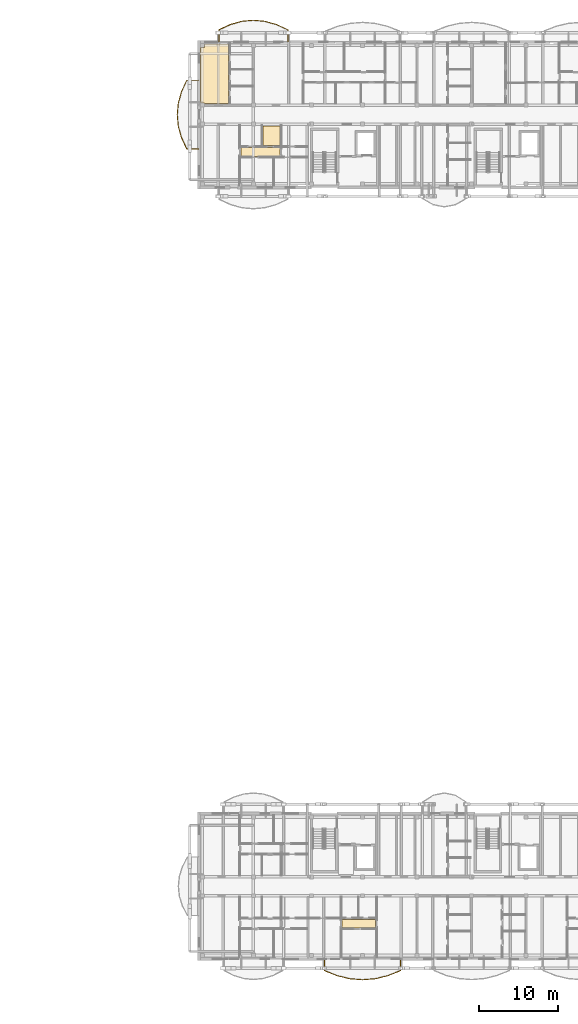
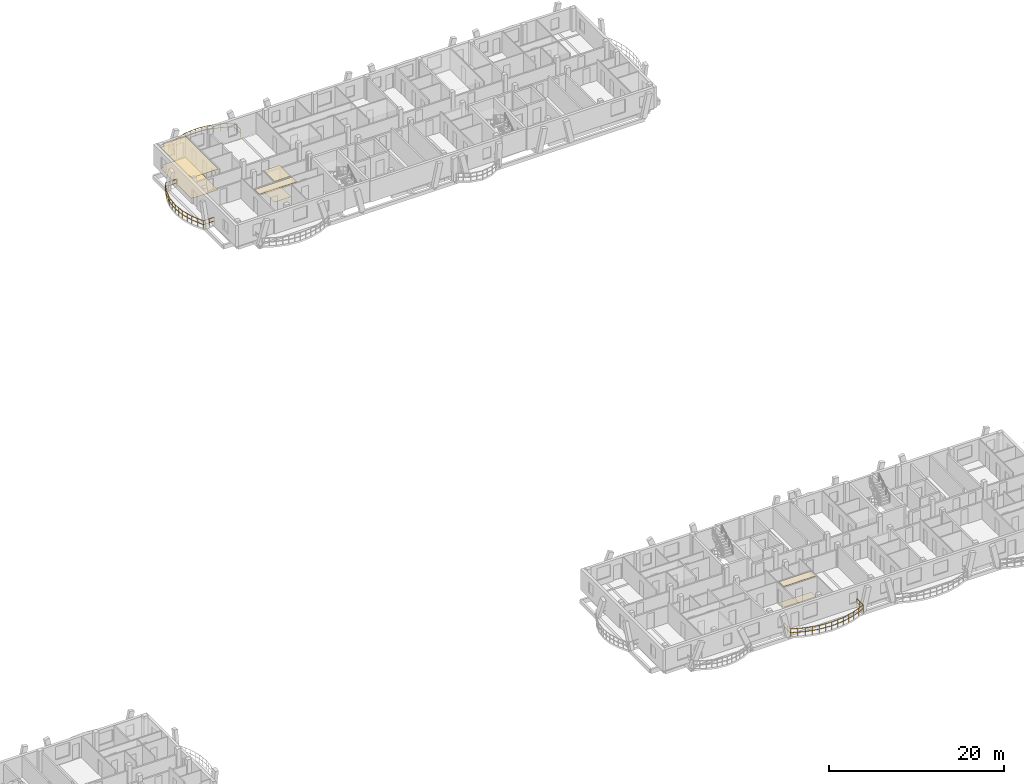
# One storey, part 46 of 50: 7 coverings, 3 railings.
"""IFC4 building model written with IfcOpenShell, lengths in metres."""

from ifc_helpers import new_model, si_unit, direction, frame, origin, origin_2d, place, context, subcontext, project, spatial, polyline, rectangle, outline, extrude, material, layer, layer_set, type_object, element, save


model = new_model("IFC4")

# Units and contexts
model_context = context("Model", 3, precision=1e-05, world=origin(), true_north=direction((0.0, 1.0)))
body_context = subcontext(model_context, "Body", "Model", "MODEL_VIEW")
ifc_project = project(units=[si_unit("LENGTHUNIT", "METRE"), si_unit("AREAUNIT", "SQUARE_METRE"), si_unit("VOLUMEUNIT", "CUBIC_METRE"), si_unit("PLANEANGLEUNIT", "RADIAN"), si_unit("MASSUNIT", "GRAM", prefix="KILO")], contexts=[model_context])

# Site, building, storey
site_placement = place(None, origin())
site = spatial("IfcSite", under=ifc_project, at=site_placement, CompositionType="ELEMENT")
building_placement = place(site_placement, origin())
building = spatial("IfcBuilding", under=site, at=building_placement, Name="Zavelmont Quarter", CompositionType="ELEMENT")
storey_placement = place(building_placement, frame((0.0, 0.0, 11.199951171875)))
storey = spatial("IfcBuildingStorey", under=building, at=storey_placement, Name="L03", CompositionType="ELEMENT", Elevation=11.199951171875)

# Coverings
ifc_material_1 = material(Name="Perforated acoustic gypsum board")
ifc_layer_1 = layer(ifc_material_1, 0.02490234375)
ifc_layer_set_1 = layer_set([ifc_layer_1], Name="Perforated acoustic gypsum board")
covering_type_1 = type_object("IfcCoveringType", Name="CV-CL01", PredefinedType="CEILING", material=ifc_layer_set_1)
covering_1_placement = place(storey_placement, frame((0.0, 0.0, 2.9150390625)))
element("IfcCovering", 1, at=covering_1_placement, inside=storey, type_object=covering_type_1, Name="L03 Living Dining acoustic ceiling", PredefinedType="CEILING", context=body_context, shape_type="SweptSolid", body=[
    extrude(outline(polyline([(113.030029296875, 115.27001953125), (113.530029296875, 115.27001953125), (113.530029296875, 115.719970703125), (116.570068359375, 115.719970703125), (116.570068359375, 108.22998046875), (113.530029296875, 108.22998046875), (113.530029296875, 108.2900390625), (113.030029296875, 108.2900390625), (113.030029296875, 115.27001953125)])), origin(), (0.0, 0.0, 1.0), 0.02490234375),
])
ifc_material_2 = material(Name="Slatted European ash acoustic baffle ceiling")
ifc_layer_2 = layer(ifc_material_2, 0.0400390625)
ifc_layer_set_2 = layer_set([ifc_layer_2], Name="Slatted European ash acoustic baffle ceiling")
covering_type_2 = type_object("IfcCoveringType", Name="CV-CL02", PredefinedType="CEILING", material=ifc_layer_set_2)
covering_2_placement = place(storey_placement, frame((0.0, 0.0, 2.900146484375)))
element("IfcCovering", 2, at=covering_2_placement, inside=storey, type_object=covering_type_2, Name="L03 Apartment Hall acoustic ceiling", PredefinedType="CEILING", context=body_context, shape_type="SweptSolid", body=[
    extrude(outline(polyline([(118.1298828125, 102.6201171875), (123.070068359375, 102.6201171875), (123.070068359375, 101.530029296875), (118.1298828125, 101.530029296875), (118.1298828125, 102.6201171875)])), origin(), (0.0, 0.0, 1.0), 0.039794921875),
])
covering_3_placement = place(storey_placement, frame((0.0, 0.0, 2.900146484375)))
element("IfcCovering", 3, at=covering_3_placement, inside=storey, type_object=covering_type_2, Name="L03 Apartment Hall acoustic ceiling", PredefinedType="CEILING", context=body_context, shape_type="SweptSolid", body=[
    extrude(outline(polyline([(130.929931640625, 5.02001953125), (135.169921875, 5.02001953125), (135.169921875, 3.929931640625), (130.929931640625, 3.929931640625), (130.929931640625, 5.02001953125)])), origin(), (0.0, 0.0, 1.0), 0.039794921875),
])
ifc_material_3 = material(Name="Moisture-resistant painted gypsum ceiling")
ifc_layer_3 = layer(ifc_material_3, 0.02001953125)
ifc_layer_set_3 = layer_set([ifc_layer_3], Name="Moisture-resistant painted gypsum ceiling")
covering_type_3 = type_object("IfcCoveringType", Name="CV-CL04", PredefinedType="CEILING", material=ifc_layer_set_3)
covering_4_placement = place(storey_placement, frame((0.0, 0.0, 2.920166015625)))
element("IfcCovering", 4, at=covering_4_placement, inside=storey, type_object=covering_type_3, Name="L03 Bathroom acoustic ceiling", PredefinedType="CEILING", context=body_context, shape_type="SweptSolid", body=[
    extrude(outline(polyline([(120.929931640625, 105.3701171875), (123.070068359375, 105.3701171875), (123.070068359375, 102.8798828125), (120.929931640625, 102.8798828125), (120.929931640625, 105.3701171875)])), origin(), (0.0, 0.0, 1.0), 0.019775390625),
])
ifc_material_4 = material(Name="Engineered European oak parquet")
ifc_layer_4 = layer(ifc_material_4, 0.02197265625)
ifc_layer_set_4 = layer_set([ifc_layer_4], Name="Engineered European oak parquet")
covering_type_4 = type_object("IfcCoveringType", Name="CV-FL01", PredefinedType="FLOORING", material=ifc_layer_set_4)
covering_5_placement = place(storey_placement, origin())
element("IfcCovering", 5, at=covering_5_placement, inside=storey, type_object=covering_type_4, Name="L03 Living Dining floor finish", PredefinedType="FLOORING", context=body_context, shape_type="SweptSolid", body=[
    extrude(outline(polyline([(113.030029296875, 115.27001953125), (113.530029296875, 115.27001953125), (113.530029296875, 115.719970703125), (116.570068359375, 115.719970703125), (116.570068359375, 108.22998046875), (113.530029296875, 108.22998046875), (113.530029296875, 108.2900390625), (113.030029296875, 108.2900390625), (113.030029296875, 115.27001953125)])), origin(), (0.0, 0.0, 1.0), 0.02197265625),
])
ifc_material_5 = material(Name="Honed Belgian bluestone tile", Category="masonry")
ifc_layer_5 = layer(ifc_material_5, 0.030029296875)
ifc_layer_set_5 = layer_set([ifc_layer_5], Name="Honed Belgian bluestone tile")
covering_type_5 = type_object("IfcCoveringType", Name="CV-FL02", PredefinedType="FLOORING", material=ifc_layer_set_5)
covering_6_placement = place(storey_placement, origin())
element("IfcCovering", 6, at=covering_6_placement, inside=storey, type_object=covering_type_5, Name="L03 Apartment Hall floor finish", PredefinedType="FLOORING", context=body_context, shape_type="SweptSolid", body=[
    extrude(outline(polyline([(130.929931640625, 5.02001953125), (135.169921875, 5.02001953125), (135.169921875, 3.929931640625), (130.929931640625, 3.929931640625), (130.929931640625, 5.02001953125)])), origin(), (0.0, 0.0, 1.0), 0.030029296875),
])
ifc_material_6 = material(Name="Slip-resistant porcelain tile")
ifc_layer_6 = layer(ifc_material_6, 0.02587890625)
ifc_layer_set_6 = layer_set([ifc_layer_6], Name="Slip-resistant porcelain tile")
covering_type_6 = type_object("IfcCoveringType", Name="CV-FL04", PredefinedType="FLOORING", material=ifc_layer_set_6)
covering_7_placement = place(storey_placement, origin())
element("IfcCovering", 7, at=covering_7_placement, inside=storey, type_object=covering_type_6, Name="L03 Bathroom floor finish", PredefinedType="FLOORING", context=body_context, shape_type="SweptSolid", body=[
    extrude(outline(polyline([(120.929931640625, 105.3701171875), (123.070068359375, 105.3701171875), (123.070068359375, 102.8798828125), (120.929931640625, 102.8798828125), (120.929931640625, 105.3701171875)])), origin(), (0.0, 0.0, 1.0), 0.026123046875),
])

# Railings
ifc_material_7 = material(Name="Powder-coated steel and tempered double safety glass", Category="steel")
railing_type = type_object("IfcRailingType", Name="RL-BAL1", PredefinedType="BALUSTRADE", material=ifc_material_7)
railing_1_placement = place(storey_placement, frame((124.052978515625, 116.02001953125, 0.0)))
element("IfcRailing", 8, at=railing_1_placement, inside=storey, type_object=railing_type, Name="L03 Block C curved balcony guard RL-BAL1", PredefinedType="BALUSTRADE", context=body_context, shape_type="SweptSolid", body=[
    extrude(rectangle(XDim=0.048095703125, YDim=0.048095703125, at=origin_2d()), frame((0.0, 0.0, 1.076171875), z_axis=(0.0, 1.0, 0.0), x_axis=(-1.0, 0.0, 0.0)), (0.0, 0.0, 1.0), 1.514404296875),
    extrude(rectangle(XDim=0.048095703125, YDim=0.048095703125, at=origin_2d()), frame((0.0, 0.0, 0.550048828125), z_axis=(0.0, 1.0, 0.0), x_axis=(-1.0, 0.0, 0.0)), (0.0, 0.0, 1.0), 1.514404296875),
    extrude(rectangle(XDim=0.048095703125, YDim=0.048095703125, at=origin_2d()), frame((0.0, 1.514404296875, 1.076171875), z_axis=(-0.907981737747, 0.419009742032, 0.0), x_axis=(-0.419009742032, -0.907981737747, 0.0)), (0.0, 0.0, 1.0), 1.59814453125),
    extrude(rectangle(XDim=0.048095703125, YDim=0.048095703125, at=origin_2d()), frame((0.0, 1.514404296875, 0.550048828125), z_axis=(-0.907981737747, 0.419009742032, 0.0), x_axis=(-0.419009742032, -0.907981737747, 0.0)), (0.0, 0.0, 1.0), 1.59814453125),
    extrude(rectangle(XDim=0.048095703125, YDim=0.048095703125, at=origin_2d()), frame((-1.451171875, 2.18408203125, 1.076171875), z_axis=(-0.963719754684, 0.266916156185, 0.0), x_axis=(-0.266916156185, -0.963719754684, 0.0)), (0.0, 0.0, 1.0), 1.505615234375),
    extrude(rectangle(XDim=0.048095703125, YDim=0.048095703125, at=origin_2d()), frame((-1.451171875, 2.18408203125, 0.550048828125), z_axis=(-0.963719754684, 0.266916156185, 0.0), x_axis=(-0.266916156185, -0.963719754684, 0.0)), (0.0, 0.0, 1.0), 1.505615234375),
    extrude(rectangle(XDim=0.048095703125, YDim=0.048095703125, at=origin_2d()), frame((-2.902099609375, 2.5859375, 1.076171875), z_axis=(-0.995760306434, 0.091985934416, 0.0), x_axis=(-0.091985934416, -0.995760306434, 0.0)), (0.0, 0.0, 1.0), 1.45703125),
    extrude(rectangle(XDim=0.048095703125, YDim=0.048095703125, at=origin_2d()), frame((-2.902099609375, 2.5859375, 0.550048828125), z_axis=(-0.995760306434, 0.091985934416, 0.0), x_axis=(-0.091985934416, -0.995760306434, 0.0)), (0.0, 0.0, 1.0), 1.45703125),
    extrude(rectangle(XDim=0.048095703125, YDim=0.048095703125, at=origin_2d()), frame((-4.35302734375, 2.719970703125, 1.076171875), z_axis=(-0.995760306434, -0.091985934416, 0.0), x_axis=(0.091985934416, -0.995760306434, 0.0)), (0.0, 0.0, 1.0), 1.45703125),
    extrude(rectangle(XDim=0.048095703125, YDim=0.048095703125, at=origin_2d()), frame((-4.35302734375, 2.719970703125, 0.550048828125), z_axis=(-0.995760306434, -0.091985934416, 0.0), x_axis=(0.091985934416, -0.995760306434, 0.0)), (0.0, 0.0, 1.0), 1.45703125),
    extrude(rectangle(XDim=0.048095703125, YDim=0.048095703125, at=origin_2d()), frame((-5.803955078125, 2.5859375, 1.076171875), z_axis=(-0.963719754684, -0.266916156185, 0.0), x_axis=(0.266916156185, -0.963719754684, 0.0)), (0.0, 0.0, 1.0), 1.505615234375),
    extrude(rectangle(XDim=0.048095703125, YDim=0.048095703125, at=origin_2d()), frame((-5.803955078125, 2.5859375, 0.550048828125), z_axis=(-0.963719754684, -0.266916156185, 0.0), x_axis=(0.266916156185, -0.963719754684, 0.0)), (0.0, 0.0, 1.0), 1.505615234375),
    extrude(rectangle(XDim=0.048095703125, YDim=0.048095703125, at=origin_2d()), frame((-7.2548828125, 2.18408203125, 1.076171875), z_axis=(-0.907954912921, -0.419067865748, 0.0), x_axis=(0.419067865748, -0.907954912921, 0.0)), (0.0, 0.0, 1.0), 1.597900390625),
    extrude(rectangle(XDim=0.048095703125, YDim=0.048095703125, at=origin_2d()), frame((-7.2548828125, 2.18408203125, 0.550048828125), z_axis=(-0.907954912921, -0.419067865748, 0.0), x_axis=(0.419067865748, -0.907954912921, 0.0)), (0.0, 0.0, 1.0), 1.597900390625),
    extrude(rectangle(XDim=0.048095703125, YDim=0.048095703125, at=origin_2d()), frame((-8.705810546875, 1.514404296875, 1.076171875), z_axis=(0.0, -1.0, 0.0), x_axis=(1.0, 0.0, 0.0)), (0.0, 0.0, 1.0), 1.514404296875),
    extrude(rectangle(XDim=0.048095703125, YDim=0.048095703125, at=origin_2d()), frame((-8.705810546875, 1.514404296875, 0.550048828125), z_axis=(0.0, -1.0, 0.0), x_axis=(1.0, 0.0, 0.0)), (0.0, 0.0, 1.0), 1.514404296875),
    extrude(rectangle(XDim=0.0419921875, YDim=0.0419921875, at=origin_2d()), origin(), (0.0, 0.0, 1.0), 1.052001953125),
    extrude(rectangle(XDim=0.0419921875, YDim=0.0419921875, at=origin_2d()), frame((0.0, 0.75732421875, 0.0)), (0.0, 0.0, 1.0), 1.052001953125),
    extrude(rectangle(XDim=0.0419921875, YDim=0.0419921875, at=origin_2d()), frame((0.0, 1.514404296875, 0.0)), (0.0, 0.0, 1.0), 1.052001953125),
    extrude(rectangle(XDim=0.0419921875, YDim=0.0419921875, at=origin_2d()), frame((-0.7255859375, 1.84912109375, 0.0)), (0.0, 0.0, 1.0), 1.052001953125),
    extrude(rectangle(XDim=0.0419921875, YDim=0.0419921875, at=origin_2d()), frame((-1.451171875, 2.18408203125, 0.0)), (0.0, 0.0, 1.0), 1.052001953125),
    extrude(rectangle(XDim=0.0419921875, YDim=0.0419921875, at=origin_2d()), frame((-2.1767578125, 2.385009765625, 0.0)), (0.0, 0.0, 1.0), 1.052001953125),
    extrude(rectangle(XDim=0.0419921875, YDim=0.0419921875, at=origin_2d()), frame((-2.902099609375, 2.5859375, 0.0)), (0.0, 0.0, 1.0), 1.052001953125),
    extrude(rectangle(XDim=0.0419921875, YDim=0.0419921875, at=origin_2d()), frame((-3.62744140625, 2.65283203125, 0.0)), (0.0, 0.0, 1.0), 1.052001953125),
    extrude(rectangle(XDim=0.0419921875, YDim=0.0419921875, at=origin_2d()), frame((-4.35302734375, 2.719970703125, 0.0)), (0.0, 0.0, 1.0), 1.052001953125),
    extrude(rectangle(XDim=0.0419921875, YDim=0.0419921875, at=origin_2d()), frame((-5.07861328125, 2.65283203125, 0.0)), (0.0, 0.0, 1.0), 1.052001953125),
    extrude(rectangle(XDim=0.0419921875, YDim=0.0419921875, at=origin_2d()), frame((-5.803955078125, 2.5859375, 0.0)), (0.0, 0.0, 1.0), 1.052001953125),
    extrude(rectangle(XDim=0.0419921875, YDim=0.0419921875, at=origin_2d()), frame((-6.529296875, 2.385009765625, 0.0)), (0.0, 0.0, 1.0), 1.052001953125),
    extrude(rectangle(XDim=0.0419921875, YDim=0.0419921875, at=origin_2d()), frame((-7.2548828125, 2.18408203125, 0.0)), (0.0, 0.0, 1.0), 1.052001953125),
    extrude(rectangle(XDim=0.0419921875, YDim=0.0419921875, at=origin_2d()), frame((-7.98046875, 1.84912109375, 0.0)), (0.0, 0.0, 1.0), 1.052001953125),
    extrude(rectangle(XDim=0.0419921875, YDim=0.0419921875, at=origin_2d()), frame((-8.705810546875, 1.514404296875, 0.0)), (0.0, 0.0, 1.0), 1.052001953125),
    extrude(rectangle(XDim=0.0419921875, YDim=0.0419921875, at=origin_2d()), frame((-8.705810546875, 0.75732421875, 0.0)), (0.0, 0.0, 1.0), 1.052001953125),
    extrude(rectangle(XDim=0.0419921875, YDim=0.0419921875, at=origin_2d()), frame((-8.705810546875, 0.0, 0.0)), (0.0, 0.0, 1.0), 1.052001953125),
])
railing_2_placement = place(storey_placement, frame((112.780029296875, 111.15283203125, 0.0)))
element("IfcRailing", 9, at=railing_2_placement, inside=storey, type_object=railing_type, Name="L03 Block C curved balcony guard RL-BAL1", PredefinedType="BALUSTRADE", context=body_context, shape_type="SweptSolid", body=[
    extrude(rectangle(XDim=0.048095703125, YDim=0.048095703125, at=origin_2d()), frame((0.0, 0.0, 1.076171875), z_axis=(-1.0, 0.0, 0.0), x_axis=(0.0, -1.0, 0.0)), (0.0, 0.0, 1.0), 1.514404296875),
    extrude(rectangle(XDim=0.048095703125, YDim=0.048095703125, at=origin_2d()), frame((0.0, 0.0, 0.550048828125), z_axis=(-1.0, 0.0, 0.0), x_axis=(0.0, -1.0, 0.0)), (0.0, 0.0, 1.0), 1.514404296875),
    extrude(rectangle(XDim=0.048095703125, YDim=0.048095703125, at=origin_2d()), frame((-1.514404296875, 0.0, 1.076171875), z_axis=(-0.419193800447, -0.907896776989, 0.0), x_axis=(0.907896776989, -0.419193800447, 0.0)), (0.0, 0.0, 1.0), 1.59814453125),
    extrude(rectangle(XDim=0.048095703125, YDim=0.048095703125, at=origin_2d()), frame((-1.514404296875, 0.0, 0.550048828125), z_axis=(-0.419193800447, -0.907896776989, 0.0), x_axis=(0.907896776989, -0.419193800447, 0.0)), (0.0, 0.0, 1.0), 1.59814453125),
    extrude(rectangle(XDim=0.048095703125, YDim=0.048095703125, at=origin_2d()), frame((-2.184326171875, -1.450927734375, 1.076171875), z_axis=(-0.266765538924, -0.963761457645, 0.0), x_axis=(0.963761457645, -0.266765538924, 0.0)), (0.0, 0.0, 1.0), 1.50537109375),
    extrude(rectangle(XDim=0.048095703125, YDim=0.048095703125, at=origin_2d()), frame((-2.184326171875, -1.450927734375, 0.550048828125), z_axis=(-0.266765538924, -0.963761457645, 0.0), x_axis=(0.963761457645, -0.266765538924, 0.0)), (0.0, 0.0, 1.0), 1.50537109375),
    extrude(rectangle(XDim=0.048095703125, YDim=0.048095703125, at=origin_2d()), frame((-2.5859375, -2.90185546875, 1.076171875), z_axis=(-0.091985934416, -0.995760306434, 0.0), x_axis=(0.995760306434, -0.091985934416, 0.0)), (0.0, 0.0, 1.0), 1.45703125),
    extrude(rectangle(XDim=0.048095703125, YDim=0.048095703125, at=origin_2d()), frame((-2.5859375, -2.90185546875, 0.550048828125), z_axis=(-0.091985934416, -0.995760306434, 0.0), x_axis=(0.995760306434, -0.091985934416, 0.0)), (0.0, 0.0, 1.0), 1.45703125),
    extrude(rectangle(XDim=0.048095703125, YDim=0.048095703125, at=origin_2d()), frame((-2.719970703125, -4.352783203125, 1.076171875), z_axis=(0.091985934416, -0.995760306434, 0.0), x_axis=(0.995760306434, 0.091985934416, 0.0)), (0.0, 0.0, 1.0), 1.45703125),
    extrude(rectangle(XDim=0.048095703125, YDim=0.048095703125, at=origin_2d()), frame((-2.719970703125, -4.352783203125, 0.550048828125), z_axis=(0.091985934416, -0.995760306434, 0.0), x_axis=(0.995760306434, 0.091985934416, 0.0)), (0.0, 0.0, 1.0), 1.45703125),
    extrude(rectangle(XDim=0.048095703125, YDim=0.048095703125, at=origin_2d()), frame((-2.5859375, -5.8037109375, 1.076171875), z_axis=(0.266765538924, -0.963761457645, 0.0), x_axis=(0.963761457645, 0.266765538924, 0.0)), (0.0, 0.0, 1.0), 1.50537109375),
    extrude(rectangle(XDim=0.048095703125, YDim=0.048095703125, at=origin_2d()), frame((-2.5859375, -5.8037109375, 0.550048828125), z_axis=(0.266765538924, -0.963761457645, 0.0), x_axis=(0.963761457645, 0.266765538924, 0.0)), (0.0, 0.0, 1.0), 1.50537109375),
    extrude(rectangle(XDim=0.048095703125, YDim=0.048095703125, at=origin_2d()), frame((-2.184326171875, -7.254638671875, 1.076171875), z_axis=(0.419135666708, -0.907923616222, 0.0), x_axis=(0.907923616222, 0.419135666708, 0.0)), (0.0, 0.0, 1.0), 1.598388671875),
    extrude(rectangle(XDim=0.048095703125, YDim=0.048095703125, at=origin_2d()), frame((-2.184326171875, -7.254638671875, 0.550048828125), z_axis=(0.419135666708, -0.907923616222, 0.0), x_axis=(0.907923616222, 0.419135666708, 0.0)), (0.0, 0.0, 1.0), 1.598388671875),
    extrude(rectangle(XDim=0.048095703125, YDim=0.048095703125, at=origin_2d()), frame((-1.514404296875, -8.705810546875, 1.076171875), z_axis=(1.0, 0.0, 0.0), x_axis=(0.0, 1.0, 0.0)), (0.0, 0.0, 1.0), 1.514404296875),
    extrude(rectangle(XDim=0.048095703125, YDim=0.048095703125, at=origin_2d()), frame((-1.514404296875, -8.705810546875, 0.550048828125), z_axis=(1.0, 0.0, 0.0), x_axis=(0.0, 1.0, 0.0)), (0.0, 0.0, 1.0), 1.514404296875),
    extrude(rectangle(XDim=0.0419921875, YDim=0.0419921875, at=origin_2d()), origin(), (0.0, 0.0, 1.0), 1.052001953125),
    extrude(rectangle(XDim=0.0419921875, YDim=0.0419921875, at=origin_2d()), frame((-0.75732421875, 0.0, 0.0)), (0.0, 0.0, 1.0), 1.052001953125),
    extrude(rectangle(XDim=0.0419921875, YDim=0.0419921875, at=origin_2d()), frame((-1.514404296875, 0.0, 0.0)), (0.0, 0.0, 1.0), 1.052001953125),
    extrude(rectangle(XDim=0.0419921875, YDim=0.0419921875, at=origin_2d()), frame((-1.849365234375, -0.7255859375, 0.0)), (0.0, 0.0, 1.0), 1.052001953125),
    extrude(rectangle(XDim=0.0419921875, YDim=0.0419921875, at=origin_2d()), frame((-2.184326171875, -1.450927734375, 0.0)), (0.0, 0.0, 1.0), 1.052001953125),
    extrude(rectangle(XDim=0.0419921875, YDim=0.0419921875, at=origin_2d()), frame((-2.38525390625, -2.17626953125, 0.0)), (0.0, 0.0, 1.0), 1.052001953125),
    extrude(rectangle(XDim=0.0419921875, YDim=0.0419921875, at=origin_2d()), frame((-2.5859375, -2.90185546875, 0.0)), (0.0, 0.0, 1.0), 1.052001953125),
    extrude(rectangle(XDim=0.0419921875, YDim=0.0419921875, at=origin_2d()), frame((-2.65283203125, -3.62744140625, 0.0)), (0.0, 0.0, 1.0), 1.052001953125),
    extrude(rectangle(XDim=0.0419921875, YDim=0.0419921875, at=origin_2d()), frame((-2.719970703125, -4.352783203125, 0.0)), (0.0, 0.0, 1.0), 1.052001953125),
    extrude(rectangle(XDim=0.0419921875, YDim=0.0419921875, at=origin_2d()), frame((-2.65283203125, -5.078125, 0.0)), (0.0, 0.0, 1.0), 1.052001953125),
    extrude(rectangle(XDim=0.0419921875, YDim=0.0419921875, at=origin_2d()), frame((-2.5859375, -5.8037109375, 0.0)), (0.0, 0.0, 1.0), 1.052001953125),
    extrude(rectangle(XDim=0.0419921875, YDim=0.0419921875, at=origin_2d()), frame((-2.38525390625, -6.529296875, 0.0)), (0.0, 0.0, 1.0), 1.052001953125),
    extrude(rectangle(XDim=0.0419921875, YDim=0.0419921875, at=origin_2d()), frame((-2.184326171875, -7.254638671875, 0.0)), (0.0, 0.0, 1.0), 1.052001953125),
    extrude(rectangle(XDim=0.0419921875, YDim=0.0419921875, at=origin_2d()), frame((-1.849365234375, -7.980224609375, 0.0)), (0.0, 0.0, 1.0), 1.052001953125),
    extrude(rectangle(XDim=0.0419921875, YDim=0.0419921875, at=origin_2d()), frame((-1.514404296875, -8.705810546875, 0.0)), (0.0, 0.0, 1.0), 1.052001953125),
    extrude(rectangle(XDim=0.0419921875, YDim=0.0419921875, at=origin_2d()), frame((-0.75732421875, -8.705810546875, 0.0)), (0.0, 0.0, 1.0), 1.052001953125),
    extrude(rectangle(XDim=0.0419921875, YDim=0.0419921875, at=origin_2d()), frame((0.0, -8.705810546875, 0.0)), (0.0, 0.0, 1.0), 1.052001953125),
])
railing_3_placement = place(storey_placement, frame((128.707763671875, -0.02001953125, 0.0)))
element("IfcRailing", 10, at=railing_3_placement, inside=storey, type_object=railing_type, Name="L03 Block D curved balcony guard RL-BAL1", PredefinedType="BALUSTRADE", context=body_context, shape_type="SweptSolid", body=[
    extrude(rectangle(XDim=0.048095703125, YDim=0.048095703125, at=origin_2d()), frame((0.0, 0.0, 1.076171875), z_axis=(0.0, -1.0, 0.0), x_axis=(1.0, 0.0, 0.0)), (0.0, 0.0, 1.0), 1.453857421875),
    extrude(rectangle(XDim=0.048095703125, YDim=0.048095703125, at=origin_2d()), frame((0.0, 0.0, 0.550048828125), z_axis=(0.0, -1.0, 0.0), x_axis=(1.0, 0.0, 0.0)), (0.0, 0.0, 1.0), 1.453857421875),
    extrude(rectangle(XDim=0.048095703125, YDim=0.048095703125, at=origin_2d()), frame((0.0, -1.453857421875, 1.076171875), z_axis=(0.927603965163, -0.373565099833, 0.0), x_axis=(0.373565099833, 0.927603965163, 0.0)), (0.0, 0.0, 1.0), 1.72216796875),
    extrude(rectangle(XDim=0.048095703125, YDim=0.048095703125, at=origin_2d()), frame((0.0, -1.453857421875, 0.550048828125), z_axis=(0.927603965163, -0.373565099833, 0.0), x_axis=(0.373565099833, 0.927603965163, 0.0)), (0.0, 0.0, 1.0), 1.72216796875),
    extrude(rectangle(XDim=0.048095703125, YDim=0.048095703125, at=origin_2d()), frame((1.597412109375, -2.09716796875, 1.076171875), z_axis=(0.971992169835, -0.235013237457, 0.0), x_axis=(0.235013237457, 0.971992169835, 0.0)), (0.0, 0.0, 1.0), 1.6435546875),
    extrude(rectangle(XDim=0.048095703125, YDim=0.048095703125, at=origin_2d()), frame((1.597412109375, -2.09716796875, 0.550048828125), z_axis=(0.971992169835, -0.235013237457, 0.0), x_axis=(0.235013237457, 0.971992169835, 0.0)), (0.0, 0.0, 1.0), 1.6435546875),
    extrude(rectangle(XDim=0.048095703125, YDim=0.048095703125, at=origin_2d()), frame((3.19482421875, -2.4833984375, 1.076171875), z_axis=(0.996772021854, -0.080284098352, 0.0), x_axis=(0.080284098352, 0.996772021854, 0.0)), (0.0, 0.0, 1.0), 1.6025390625),
    extrude(rectangle(XDim=0.048095703125, YDim=0.048095703125, at=origin_2d()), frame((3.19482421875, -2.4833984375, 0.550048828125), z_axis=(0.996772021854, -0.080284098352, 0.0), x_axis=(0.080284098352, 0.996772021854, 0.0)), (0.0, 0.0, 1.0), 1.6025390625),
    extrude(rectangle(XDim=0.048095703125, YDim=0.048095703125, at=origin_2d()), frame((4.792236328125, -2.612060546875, 1.076171875), z_axis=(0.996772021854, 0.080284098352, 0.0), x_axis=(-0.080284098352, 0.996772021854, 0.0)), (0.0, 0.0, 1.0), 1.6025390625),
    extrude(rectangle(XDim=0.048095703125, YDim=0.048095703125, at=origin_2d()), frame((4.792236328125, -2.612060546875, 0.550048828125), z_axis=(0.996772021854, 0.080284098352, 0.0), x_axis=(-0.080284098352, 0.996772021854, 0.0)), (0.0, 0.0, 1.0), 1.6025390625),
    extrude(rectangle(XDim=0.048095703125, YDim=0.048095703125, at=origin_2d()), frame((6.3896484375, -2.4833984375, 1.076171875), z_axis=(0.971992169835, 0.235013237457, 0.0), x_axis=(-0.235013237457, 0.971992169835, 0.0)), (0.0, 0.0, 1.0), 1.6435546875),
    extrude(rectangle(XDim=0.048095703125, YDim=0.048095703125, at=origin_2d()), frame((6.3896484375, -2.4833984375, 0.550048828125), z_axis=(0.971992169835, 0.235013237457, 0.0), x_axis=(-0.235013237457, 0.971992169835, 0.0)), (0.0, 0.0, 1.0), 1.6435546875),
    extrude(rectangle(XDim=0.048095703125, YDim=0.048095703125, at=origin_2d()), frame((7.987060546875, -2.09716796875, 1.076171875), z_axis=(0.927603965163, 0.373565099833, 0.0), x_axis=(-0.373565099833, 0.927603965163, 0.0)), (0.0, 0.0, 1.0), 1.72216796875),
    extrude(rectangle(XDim=0.048095703125, YDim=0.048095703125, at=origin_2d()), frame((7.987060546875, -2.09716796875, 0.550048828125), z_axis=(0.927603965163, 0.373565099833, 0.0), x_axis=(-0.373565099833, 0.927603965163, 0.0)), (0.0, 0.0, 1.0), 1.72216796875),
    extrude(rectangle(XDim=0.048095703125, YDim=0.048095703125, at=origin_2d()), frame((9.58447265625, -1.453857421875, 1.076171875), z_axis=(0.0, 1.0, 0.0), x_axis=(-1.0, 0.0, 0.0)), (0.0, 0.0, 1.0), 1.453857421875),
    extrude(rectangle(XDim=0.048095703125, YDim=0.048095703125, at=origin_2d()), frame((9.58447265625, -1.453857421875, 0.550048828125), z_axis=(0.0, 1.0, 0.0), x_axis=(-1.0, 0.0, 0.0)), (0.0, 0.0, 1.0), 1.453857421875),
    extrude(rectangle(XDim=0.0419921875, YDim=0.0419921875, at=origin_2d()), origin(), (0.0, 0.0, 1.0), 1.052001953125),
    extrude(rectangle(XDim=0.0419921875, YDim=0.0419921875, at=origin_2d()), frame((0.0, -0.72705078125, 0.0)), (0.0, 0.0, 1.0), 1.052001953125),
    extrude(rectangle(XDim=0.0419921875, YDim=0.0419921875, at=origin_2d()), frame((0.0, -1.453857421875, 0.0)), (0.0, 0.0, 1.0), 1.052001953125),
    extrude(rectangle(XDim=0.0419921875, YDim=0.0419921875, at=origin_2d()), frame((0.798828125, -1.775390625, 0.0)), (0.0, 0.0, 1.0), 1.052001953125),
    extrude(rectangle(XDim=0.0419921875, YDim=0.0419921875, at=origin_2d()), frame((1.597412109375, -2.09716796875, 0.0)), (0.0, 0.0, 1.0), 1.052001953125),
    extrude(rectangle(XDim=0.0419921875, YDim=0.0419921875, at=origin_2d()), frame((2.39599609375, -2.290283203125, 0.0)), (0.0, 0.0, 1.0), 1.052001953125),
    extrude(rectangle(XDim=0.0419921875, YDim=0.0419921875, at=origin_2d()), frame((3.19482421875, -2.4833984375, 0.0)), (0.0, 0.0, 1.0), 1.052001953125),
    extrude(rectangle(XDim=0.0419921875, YDim=0.0419921875, at=origin_2d()), frame((3.99365234375, -2.5478515625, 0.0)), (0.0, 0.0, 1.0), 1.052001953125),
    extrude(rectangle(XDim=0.0419921875, YDim=0.0419921875, at=origin_2d()), frame((4.792236328125, -2.612060546875, 0.0)), (0.0, 0.0, 1.0), 1.052001953125),
    extrude(rectangle(XDim=0.0419921875, YDim=0.0419921875, at=origin_2d()), frame((5.5908203125, -2.5478515625, 0.0)), (0.0, 0.0, 1.0), 1.052001953125),
    extrude(rectangle(XDim=0.0419921875, YDim=0.0419921875, at=origin_2d()), frame((6.3896484375, -2.4833984375, 0.0)), (0.0, 0.0, 1.0), 1.052001953125),
    extrude(rectangle(XDim=0.0419921875, YDim=0.0419921875, at=origin_2d()), frame((7.1884765625, -2.290283203125, 0.0)), (0.0, 0.0, 1.0), 1.052001953125),
    extrude(rectangle(XDim=0.0419921875, YDim=0.0419921875, at=origin_2d()), frame((7.987060546875, -2.09716796875, 0.0)), (0.0, 0.0, 1.0), 1.052001953125),
    extrude(rectangle(XDim=0.0419921875, YDim=0.0419921875, at=origin_2d()), frame((8.78564453125, -1.775390625, 0.0)), (0.0, 0.0, 1.0), 1.052001953125),
    extrude(rectangle(XDim=0.0419921875, YDim=0.0419921875, at=origin_2d()), frame((9.58447265625, -1.453857421875, 0.0)), (0.0, 0.0, 1.0), 1.052001953125),
    extrude(rectangle(XDim=0.0419921875, YDim=0.0419921875, at=origin_2d()), frame((9.58447265625, -0.72705078125, 0.0)), (0.0, 0.0, 1.0), 1.052001953125),
    extrude(rectangle(XDim=0.0419921875, YDim=0.0419921875, at=origin_2d()), frame((9.58447265625, 0.0, 0.0)), (0.0, 0.0, 1.0), 1.052001953125),
])

save(model, "model.ifc")
